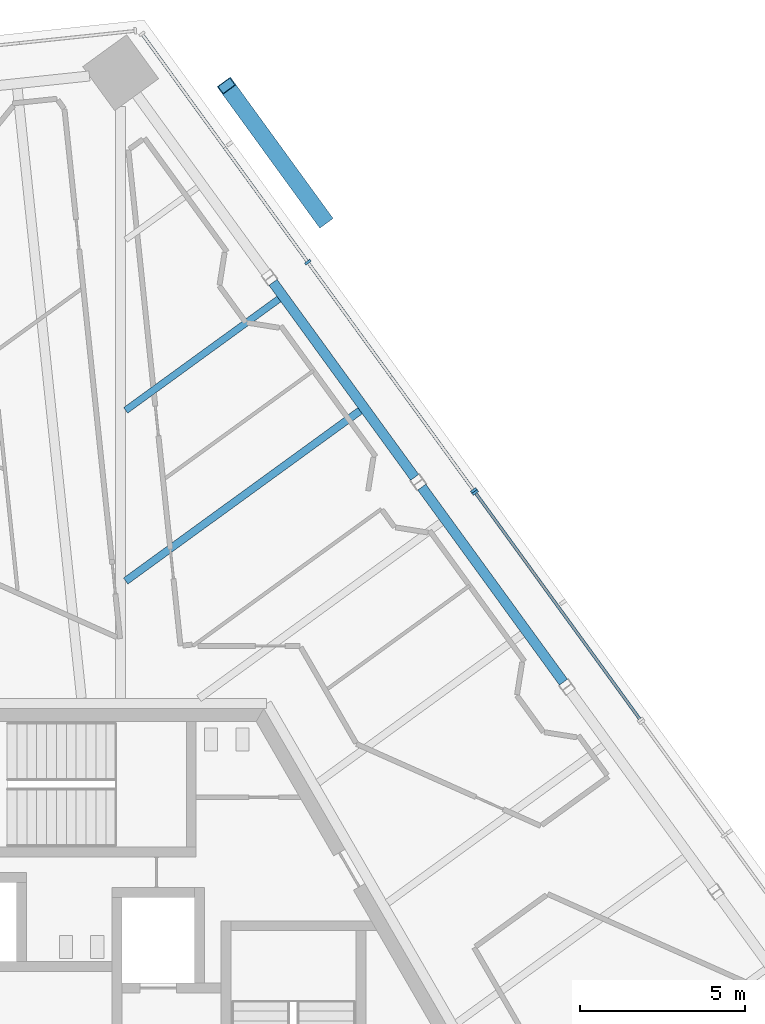
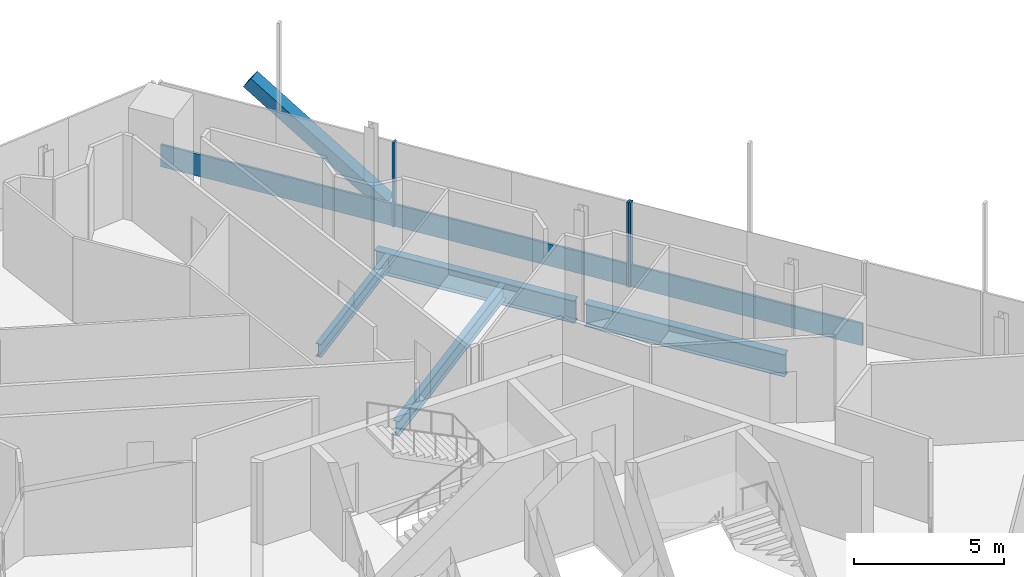
# One storey, part 8 of 21: 7 members, 4 beams, 2 elements without a shape of their own.
"""IFC4 building model written with IfcOpenShell, lengths in metres."""

from ifc_helpers import new_model, si_unit, direction, frame, origin, origin_2d, place, context, subcontext, project, spatial, rectangle, hollow_rectangle, i_section, extrude, source, transform, mapped, material, material_profile, profile_set, type_object, element, aggregate, save


model = new_model("IFC4")

# Units and contexts
model_context = context("Model", 3, precision=1e-05, world=origin(), true_north=direction((0.0, 1.0)))
body_context = subcontext(model_context, "Body", "Model", "MODEL_VIEW")
ifc_project = project(units=[si_unit("LENGTHUNIT", "METRE"), si_unit("AREAUNIT", "SQUARE_METRE"), si_unit("VOLUMEUNIT", "CUBIC_METRE"), si_unit("PLANEANGLEUNIT", "RADIAN"), si_unit("MASSUNIT", "GRAM", prefix="KILO")], contexts=[model_context])

# Site, building, storey
site_placement = place(None, origin())
site = spatial("IfcSite", under=ifc_project, at=site_placement, CompositionType="ELEMENT")
building_placement = place(site_placement, origin())
building = spatial("IfcBuilding", under=site, at=building_placement, Name="Triune Harvest Tower", CompositionType="ELEMENT")
storey_placement = place(building_placement, frame((0.0, 0.0, 248.5)))
storey = spatial("IfcBuildingStorey", under=building, at=storey_placement, Name="L65", CompositionType="ELEMENT", Elevation=248.5)

# Beams
ifc_material_1 = material(Name="Steel ASTM A992 Gr 50", Category="steel")
ifc_material_profile_1 = material_profile(ifc_material_1, i_section(OverallWidth=0.3046875, OverallDepth=0.914306640625, WebThickness=0.0166015625, FlangeThickness=0.02587890625, at=origin_2d()), Name="W36x160")
ifc_profile_set_1 = profile_set([ifc_material_profile_1], Name="Steel ASTM A992 Gr 50")
beam_type_1 = type_object("IfcBeamType", Name="SB-1 Spandrel beam W36x160", PredefinedType="SPANDREL", material=ifc_profile_set_1)
shared_shape_1 = source(origin(), body_context, "Body", "SweptSolid", [
    extrude(i_section(OverallWidth=0.3046875, OverallDepth=0.914306640625, WebThickness=0.0166015625, FlangeThickness=0.02587890625, at=origin_2d()), origin(), (0.0, 0.0, 1.0), 7.31103515625),
])
for number, where, z_axis, x_axis, name in (
    (1, (15.091552734375, 11.1923828125, -0.6171875), (-0.587786436325, 0.809016134124, 0.0), (-0.809016134124, -0.587786436325, 0.0), "beam/L65/SB4"),
    (2, (10.57763671875, 17.405029296875, -0.6171875), (-0.587786436325, 0.809016134124, 0.0), (-0.809016134124, -0.587786436325, 0.0), "beam/L65/SB5"),
):
    element("IfcBeam", number, at=place(storey_placement, frame(where, z_axis=z_axis, x_axis=x_axis)), inside=storey, type_object=beam_type_1, Name=name, PredefinedType="SPANDREL", context=body_context, shape_type="MappedRepresentation", body=[
        mapped(shared_shape_1, transform((0.0, 0.0, 0.0), scale=1.0)),
    ])
ifc_material_2 = material(Name="Steel ASTM A992 Gr 50", Category="steel")
ifc_material_profile_2 = material_profile(ifc_material_2, i_section(OverallWidth=0.22900390625, OverallDepth=0.612060546875, WebThickness=0.011962890625, FlangeThickness=0.01953125, at=origin_2d()), Name="W24x84")
ifc_profile_set_2 = profile_set([ifc_material_profile_2], Name="Steel ASTM A992 Gr 50")
beam_type_2 = type_object("IfcBeamType", Name="JT-3 Floor joist W24x84", PredefinedType="JOIST", material=ifc_profile_set_2)
shared_shape_2 = source(origin(), body_context, "Body", "SweptSolid", [
    extrude(i_section(OverallWidth=0.22900390625, OverallDepth=0.612060546875, WebThickness=0.011962890625, FlangeThickness=0.01953125, at=origin_2d()), origin(), (0.0, 0.0, 1.0), 8.789306640625),
])
beam_1_placement = place(storey_placement, frame((8.921142578125, 19.42578125, -0.466064453125), z_axis=(-0.809011065255, -0.587793412939, 0.0), x_axis=(0.587793412939, -0.809011065255, 0.0)))
element("IfcBeam", 3, at=beam_1_placement, inside=storey, type_object=beam_type_2, Name="beam/L65/JT8", PredefinedType="JOIST", context=body_context, shape_type="MappedRepresentation", body=[
    mapped(shared_shape_2, transform((0.0, 0.0, 0.0), scale=1.0)),
])
ifc_material_3 = material(Name="Steel ASTM A992 Gr 50", Category="steel")
ifc_material_profile_3 = material_profile(ifc_material_3, i_section(OverallWidth=0.2099609375, OverallDepth=0.535888671875, WebThickness=0.010986328125, FlangeThickness=0.017333984375, at=origin_2d()), Name="W21x68")
ifc_profile_set_3 = profile_set([ifc_material_profile_3], Name="Steel ASTM A992 Gr 50")
beam_type_3 = type_object("IfcBeamType", Name="JT-2 Floor joist W21x68", PredefinedType="JOIST", material=ifc_profile_set_3)
shared_shape_3 = source(origin(), body_context, "Body", "SweptSolid", [
    extrude(i_section(OverallWidth=0.2099609375, OverallDepth=0.535888671875, WebThickness=0.010986328125, FlangeThickness=0.017333984375, at=origin_2d()), origin(), (0.0, 0.0, 1.0), 5.745849609375),
])
beam_2_placement = place(storey_placement, frame((6.458984375, 22.814453125, -0.427978515625), z_axis=(-0.809024464979, -0.587774969751, 0.0), x_axis=(0.587774969751, -0.809024464979, 0.0)))
element("IfcBeam", 4, at=beam_2_placement, inside=storey, type_object=beam_type_3, Name="beam/L65/JT9", PredefinedType="JOIST", context=body_context, shape_type="MappedRepresentation", body=[
    mapped(shared_shape_3, transform((0.0, 0.0, 0.0), scale=1.0)),
])

# Member
ifc_material_4 = material(Name="Steel ASTM A572 Gr 50", Category="steel")
ifc_material_profile_4 = material_profile(ifc_material_4, hollow_rectangle(XDim=0.5, YDim=0.5, WallThickness=0.030029296875, at=origin_2d()), Name="Box 500x500x30")
ifc_profile_set_4 = profile_set([ifc_material_profile_4], Name="Steel ASTM A572 Gr 50")
member_type_1 = type_object("IfcMemberType", Name="BR-3 Brace Box 500x500x30", PredefinedType="BRACE", material=ifc_profile_set_4)
shared_shape_4 = source(origin(), body_context, "Body", "SweptSolid", [
    extrude(hollow_rectangle(XDim=0.5, YDim=0.5, WallThickness=0.030029296875, at=origin_2d()), origin(), (0.0, 0.0, 1.0), 6.1708984375),
])
member_1_placement = place(storey_placement, frame((7.81591796875, 25.230712890625, 0.0), z_axis=(-0.477376427462, 0.657075062762, 0.583407326318), x_axis=(-0.809026684069, -0.587771915341, 0.0)))
element("IfcMember", 5, at=member_1_placement, inside=storey, type_object=member_type_1, Name="brace/B6-F1/d1/9", PredefinedType="BRACE", context=body_context, shape_type="MappedRepresentation", body=[
    mapped(shared_shape_4, transform((0.0, 0.0, 0.0), scale=1.0)),
])

# Curtain wall, member
ifc_material_5 = material(Name="Aluminium bronze anodised", Category="aluminium")
curtain_wall_type_1 = type_object("IfcCurtainWallType", Name="CW-1 Tower stick curtain wall", PredefinedType="NOTDEFINED", material=ifc_material_5)
curtain_wall_1_placement = place(storey_placement, origin())
curtain_wall_1 = element("IfcCurtainWall", 6, at=curtain_wall_1_placement, inside=storey, type_object=curtain_wall_type_1, Name="CW-1 B6-F1 L65 run 1001")
ifc_material_6 = material(Name="Aluminium bronze anodised", Category="aluminium")
ifc_material_profile_5 = material_profile(ifc_material_6, rectangle(XDim=0.199951171875, YDim=0.074951171875, at=origin_2d()), Name="MU-1 mullion 75 x 200")
ifc_profile_set_5 = profile_set([ifc_material_profile_5], Name="Aluminium bronze anodised")
member_type_2 = type_object("IfcMemberType", Name="MU-1 mullion 75 x 200", PredefinedType="MULLION", material=ifc_profile_set_5)
shared_shape_5 = source(origin(), body_context, "Body", "SweptSolid", [
    extrude(rectangle(XDim=0.199951171875, YDim=0.074951171875, at=origin_2d()), origin(), (0.0, 0.0, 1.0), 3.43994140625),
])
member_2_placement = place(storey_placement, frame((12.4140625, 16.945556640625, 0.0), z_axis=(0.0, 0.0, 1.0), x_axis=(-0.809018080277, -0.587783757674, 0.0)))
member_2 = element("IfcMember", 7, at=member_2_placement, type_object=member_type_2, Name="CW-1 mullion B6-F1 1001.3", PredefinedType="MULLION", context=body_context, shape_type="MappedRepresentation", body=[
    mapped(shared_shape_5, transform((0.0, 0.0, 0.0), scale=1.0)),
])

# Curtain wall, members
ifc_material_7 = material(Name="Aluminium bronze anodised", Category="aluminium")
curtain_wall_type_2 = type_object("IfcCurtainWallType", Name="CW-7 Tower stick curtain wall with insulated spandrel infill", PredefinedType="NOTDEFINED", material=ifc_material_7)
curtain_wall_2_placement = place(storey_placement, origin())
curtain_wall_2 = element("IfcCurtainWall", 8, at=curtain_wall_2_placement, inside=storey, type_object=curtain_wall_type_2, Name="CW-7 B6-F1 L65 run 2001")
member_3_placement = place(storey_placement, frame((12.369873046875, 17.00634765625, 0.0), z_axis=(0.0, 0.0, 1.0), x_axis=(-0.809016356822, -0.587786129808, 0.0)))
member_3 = element("IfcMember", 9, at=member_3_placement, type_object=member_type_2, Name="CW-7 mullion B6-F1 2001.1", PredefinedType="MULLION", context=body_context, shape_type="MappedRepresentation", body=[
    mapped(shared_shape_5, transform((0.0, 0.0, 0.0), scale=1.0)),
])
member_4_placement = place(storey_placement, frame((7.3369140625, 23.93359375, 0.0), z_axis=(0.0, 0.0, 1.0), x_axis=(-0.809016356822, -0.587786129808, 0.0)))
member_4 = element("IfcMember", 10, at=member_4_placement, type_object=member_type_2, Name="CW-7 mullion B6-F1 2001.3", PredefinedType="MULLION", context=body_context, shape_type="MappedRepresentation", body=[
    mapped(shared_shape_5, transform((0.0, 0.0, 0.0), scale=1.0)),
])
ifc_material_8 = material(Name="Aluminium bronze anodised", Category="aluminium")
ifc_material_profile_6 = material_profile(ifc_material_8, rectangle(XDim=0.090087890625, YDim=0.89990234375, at=origin_2d()), Name="TR-1 transom 90 x 900")
ifc_profile_set_6 = profile_set([ifc_material_profile_6], Name="Aluminium bronze anodised")
member_type_3 = type_object("IfcMemberType", Name="TR-1 transom 90 x 900", PredefinedType="USERDEFINED", material=ifc_profile_set_6)
shared_shape_6 = source(origin(), body_context, "Body", "SweptSolid", [
    extrude(rectangle(XDim=0.090087890625, YDim=0.89990234375, at=origin_2d()), origin(), (0.0, 0.0, 1.0), 8.4873046875),
])
member_5_placement = place(storey_placement, frame((12.347900390625, 17.03662109375, 0.449951171875), z_axis=(-0.587785090378, 0.809017112013, 0.0), x_axis=(-0.809017112013, -0.587785090378, 0.0)))
member_5 = element("IfcMember", 11, at=member_5_placement, type_object=member_type_3, Name="CW-7 transom B6-F1 2001.1", ObjectType="TRANSOM", PredefinedType="USERDEFINED", context=body_context, shape_type="MappedRepresentation", body=[
    mapped(shared_shape_6, transform((0.0, 0.0, 0.0), scale=1.0)),
])
member_6_placement = place(storey_placement, frame((7.31494140625, 23.9638671875, 0.449951171875), z_axis=(-0.587785090378, 0.809017112013, 0.0), x_axis=(-0.809017112013, -0.587785090378, 0.0)))
member_6 = element("IfcMember", 12, at=member_6_placement, type_object=member_type_3, Name="CW-7 transom B6-F1 2001.2", ObjectType="TRANSOM", PredefinedType="USERDEFINED", context=body_context, shape_type="MappedRepresentation", body=[
    mapped(shared_shape_6, transform((0.0, 0.0, 0.0), scale=1.0)),
])
aggregate(curtain_wall_2, [member_3, member_4, member_5, member_6])

# Member
shared_shape_7 = source(origin(), body_context, "Body", "SweptSolid", [
    extrude(rectangle(XDim=0.090087890625, YDim=0.89990234375, at=origin_2d()), origin(), (0.0, 0.0, 1.0), 8.449951171875),
])
member_7_placement = place(storey_placement, frame((17.40283203125, 10.0791015625, 0.449951171875), z_axis=(-0.58778681567, 0.809015858512, 0.0), x_axis=(-0.809015858512, -0.58778681567, 0.0)))
member_7 = element("IfcMember", 13, at=member_7_placement, type_object=member_type_3, Name="CW-1 transom B6-F1 1001.1", ObjectType="TRANSOM", PredefinedType="USERDEFINED", context=body_context, shape_type="MappedRepresentation", body=[
    mapped(shared_shape_7, transform((0.0, 0.0, 0.0), scale=1.0)),
])

aggregate(curtain_wall_1, [member_2, member_7])

save(model, "model.ifc")
